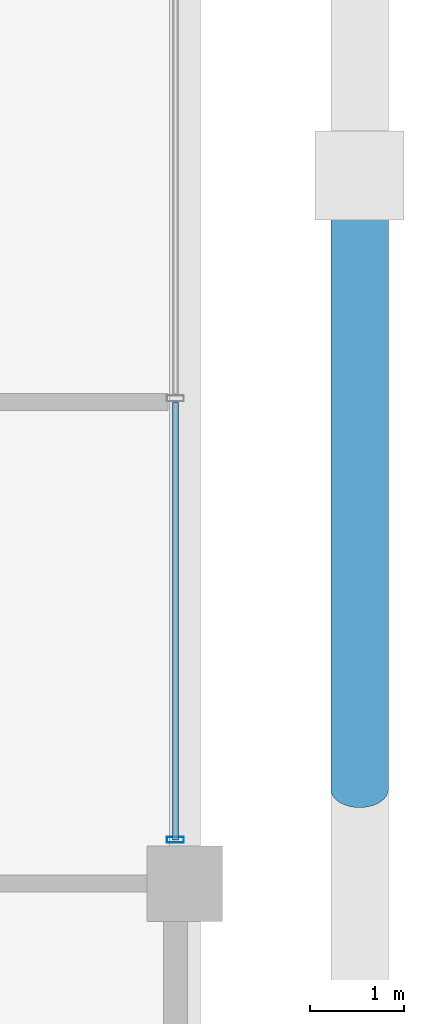
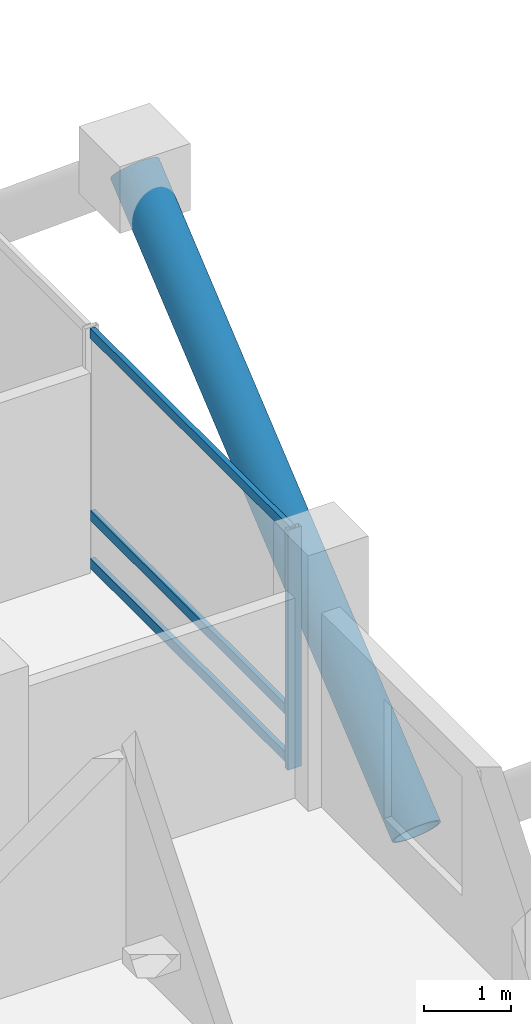
# One storey, part 8 of 21: 5 members, 1 element without a shape of its own.
"""IFC4 building model written with IfcOpenShell, lengths in metres."""

from ifc_helpers import new_model, si_unit, direction, frame, origin, origin_2d, place, context, subcontext, project, spatial, hollow_rectangle, hollow_circle, extrude, material, layer, layer_set, material_profile, profile_set, type_object, element, aggregate, save


model = new_model("IFC4")

# Units and contexts
model_context = context("Model", 3, precision=1e-05, world=origin(), true_north=direction((0.0, 1.0)))
body_context = subcontext(model_context, "Body", "Model", "MODEL_VIEW")
ifc_project = project(units=[si_unit("LENGTHUNIT", "METRE"), si_unit("AREAUNIT", "SQUARE_METRE"), si_unit("VOLUMEUNIT", "CUBIC_METRE"), si_unit("PLANEANGLEUNIT", "RADIAN"), si_unit("MASSUNIT", "GRAM", prefix="KILO")], contexts=[model_context])

# Site, building, storey
site_placement = place(None, origin())
site = spatial("IfcSite", under=ifc_project, at=site_placement, CompositionType="ELEMENT")
building_placement = place(site_placement, origin())
building = spatial("IfcBuilding", under=site, at=building_placement, Name="Barlavira Tower and Art Museum", CompositionType="ELEMENT")
storey_placement = place(building_placement, frame((0.0, 0.0, 79.199951171875)))
storey = spatial("IfcBuildingStorey", under=building, at=storey_placement, Name="L19", CompositionType="ELEMENT", Elevation=79.199951171875)

# Curtain wall, members
ifc_material_1 = material(Name="Low-iron coastal laminated glass", Category="glass")
ifc_layer = layer(ifc_material_1, 0.179931640625, Name="Low-iron coastal laminated glass")
ifc_layer_set = layer_set([ifc_layer], Name="Low-iron coastal laminated glass")
curtain_wall_type = type_object("IfcCurtainWallType", Name="Pale-Metal Unitised Curtain Wall Zone 1", PredefinedType="NOTDEFINED", material=ifc_layer_set)
curtain_wall_placement = place(storey_placement, origin())
curtain_wall = element("IfcCurtainWall", 1, at=curtain_wall_placement, inside=storey, type_object=curtain_wall_type, Name="L19 Curtain Wall CW1-L19-E-B3", PredefinedType="NOTDEFINED")
ifc_material_2 = material(Name="Pale anodised aluminium", Category="aluminium")
ifc_material_profile_1 = material_profile(ifc_material_2, hollow_rectangle(XDim=0.06494140625, YDim=0.179931640625, WallThickness=0.00390625, at=origin_2d()), Name="ALU-MULL 65x180x4")
ifc_profile_set_1 = profile_set([ifc_material_profile_1], Name="Pale anodised aluminium")
member_type_1 = type_object("IfcMemberType", Name="Curtain Wall Pale-Metal Mullion 65x180", PredefinedType="MULLION", material=ifc_profile_set_1)
member_1_placement = place(storey_placement, frame((21.89990234375, -7.034912109375, 0.0), z_axis=(0.0, 0.0, 1.0), x_axis=(0.0, 1.0, 0.0)))
member_1 = element("IfcMember", 2, at=member_1_placement, type_object=member_type_1, Name="CW1-L19-E-B3 Mullion 0", PredefinedType="MULLION", context=body_context, shape_type="SweptSolid", body=[
    extrude(hollow_rectangle(XDim=0.06494140625, YDim=0.179931640625, WallThickness=0.00390625, at=origin_2d()), origin(), (0.0, 0.0, 1.0), 3.380126953125),
])
ifc_material_profile_2 = material_profile(ifc_material_2, hollow_rectangle(XDim=0.06494140625, YDim=0.139892578125, WallThickness=0.00390625, at=origin_2d()), Name="ALU-TRAN 65x140x4")
ifc_profile_set_2 = profile_set([ifc_material_profile_2], Name="Pale anodised aluminium")
member_type_2 = type_object("IfcMemberType", Name="Curtain Wall Pale-Metal Transom 65x140", PredefinedType="USERDEFINED", material=ifc_profile_set_2)
member_2_placement = place(storey_placement, frame((21.89990234375, -7.034912109375, 0.070068359375), z_axis=(0.0, 1.0, 0.0), x_axis=(-1.0, 0.0, 0.0)))
member_2 = element("IfcMember", 3, at=member_2_placement, type_object=member_type_2, Name="CW1-L19-E-B3 Transom 0.1", ObjectType="TRANSOM", PredefinedType="USERDEFINED", context=body_context, shape_type="SweptSolid", body=[
    extrude(hollow_rectangle(XDim=0.06494140625, YDim=0.139892578125, WallThickness=0.00390625, at=origin_2d()), origin(), (0.0, 0.0, 1.0), 4.6298828125),
])
member_3_placement = place(storey_placement, frame((21.89990234375, -7.034912109375, 0.744140625), z_axis=(0.0, 1.0, 0.0), x_axis=(-1.0, 0.0, 0.0)))
member_3 = element("IfcMember", 4, at=member_3_placement, type_object=member_type_2, Name="CW1-L19-E-B3 Transom 0.2", ObjectType="TRANSOM", PredefinedType="USERDEFINED", context=body_context, shape_type="SweptSolid", body=[
    extrude(hollow_rectangle(XDim=0.06494140625, YDim=0.139892578125, WallThickness=0.00390625, at=origin_2d()), origin(), (0.0, 0.0, 1.0), 4.6298828125),
])
member_4_placement = place(storey_placement, frame((21.89990234375, -7.034912109375, 3.31005859375), z_axis=(0.0, 1.0, 0.0), x_axis=(-1.0, 0.0, 0.0)))
member_4 = element("IfcMember", 5, at=member_4_placement, type_object=member_type_2, Name="CW1-L19-E-B3 Transom 0.3", ObjectType="TRANSOM", PredefinedType="USERDEFINED", context=body_context, shape_type="SweptSolid", body=[
    extrude(hollow_rectangle(XDim=0.06494140625, YDim=0.139892578125, WallThickness=0.00390625, at=origin_2d()), origin(), (0.0, 0.0, 1.0), 4.6298828125),
])
aggregate(curtain_wall, [member_1, member_2, member_3, member_4])

# Member
ifc_material_3 = material(Name="Steel S355", Category="steel")
ifc_material_profile_3 = material_profile(ifc_material_3, hollow_circle(Radius=0.304931640625, WallThickness=0.028076171875, at=origin_2d()), Name="CHS 610.0x28.0")
ifc_profile_set_3 = profile_set([ifc_material_profile_3], Name="Steel S355")
member_type_3 = type_object("IfcMemberType", Name="Pale-Metal Exoskeleton Diagrid Tube CHS 610x28 Steel S355", PredefinedType="BRACE", material=ifc_profile_set_3)
member_5_placement = place(storey_placement, frame((23.85009765625, -6.5, -1.919921875), z_axis=(0.0, 0.769196053329, 0.639012857104), x_axis=(-1.0, 0.0, 0.0)))
element("IfcMember", 6, at=member_5_placement, inside=storey, type_object=member_type_3, Name="L19 Exoskeleton Diagrid Tube E", PredefinedType="BRACE", context=body_context, shape_type="SweptSolid", body=[
    extrude(hollow_circle(Radius=0.304931640625, WallThickness=0.028076171875, at=origin_2d()), origin(), (0.0, 0.0, 1.0), 8.450439453125),
])

save(model, "model.ifc")
